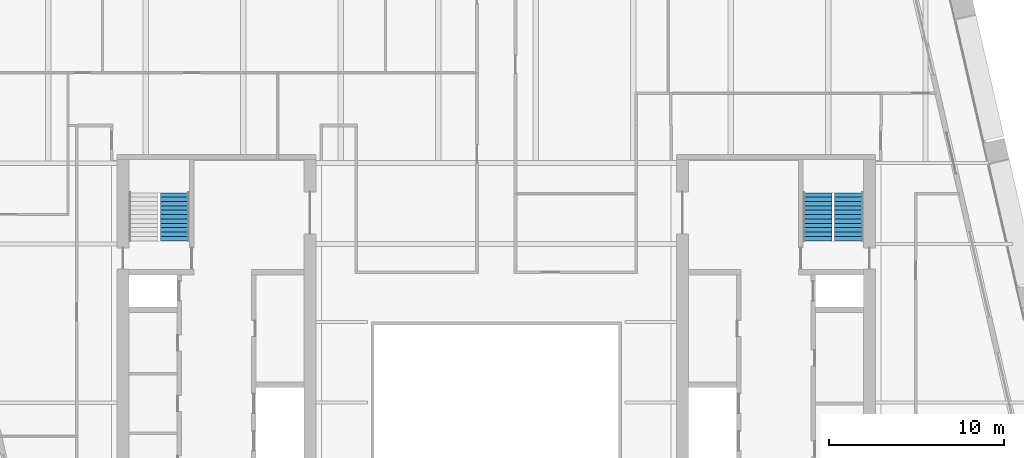
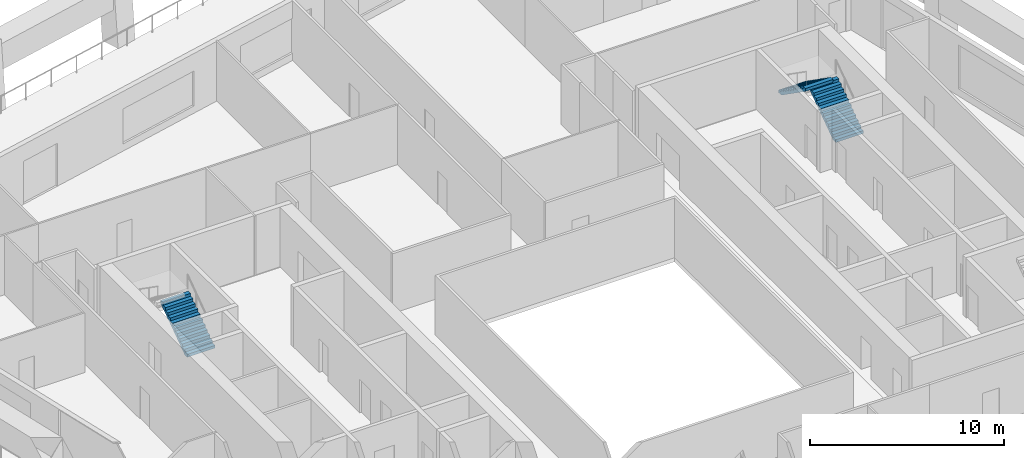
# One storey, part 12 of 14: 3 stair flights, 2 elements without a shape of their own.
"""IFC4 building model written with IfcOpenShell, lengths in metres."""

from ifc_helpers import new_model, si_unit, direction, frame, origin, place, context, subcontext, project, spatial, polyline, outline, extrude, material, type_object, element, aggregate, save


model = new_model("IFC4")

# Units and contexts
model_context = context("Model", 3, precision=1e-05, world=origin(), true_north=direction((0.0, 1.0)))
body_context = subcontext(model_context, "Body", "Model", "MODEL_VIEW")
ifc_project = project(units=[si_unit("LENGTHUNIT", "METRE"), si_unit("AREAUNIT", "SQUARE_METRE"), si_unit("VOLUMEUNIT", "CUBIC_METRE"), si_unit("PLANEANGLEUNIT", "RADIAN"), si_unit("MASSUNIT", "GRAM", prefix="KILO")], contexts=[model_context])

# Site, building, storey
site_placement = place(None, origin())
site = spatial("IfcSite", under=ifc_project, at=site_placement, CompositionType="ELEMENT")
building_placement = place(site_placement, origin())
building = spatial("IfcBuilding", under=site, at=building_placement, Name="Ogive Exchange Tower", CompositionType="ELEMENT")
storey_placement = place(building_placement, frame((0.0, 0.0, 222.0)))
storey = spatial("IfcBuildingStorey", under=building, at=storey_placement, Name="L49", CompositionType="ELEMENT", Elevation=222.0)

# Stair, stair flight
ifc_material = material(Name="Concrete C40/50", Category="concrete")
stair_type = type_object("IfcStairType", Name="Exit stair 1650 wide", PredefinedType="HALF_TURN_STAIR", material=ifc_material)
stair_1_placement = place(storey_placement, origin())
stair_1 = element("IfcStair", 1, at=stair_1_placement, inside=storey, type_object=stair_type, Name="L49 exit stair ST2", PredefinedType="HALF_TURN_STAIR")
stair_flight_type = type_object("IfcStairFlightType", Name="Stair flight 1650 wide", PredefinedType="STRAIGHT", material=ifc_material)
stair_flight_1_placement = place(storey_placement, frame((-18.375, 20.800048828125, 0.0), z_axis=(0.0, 0.0, 1.0), x_axis=(0.0, 1.0, 0.0)))
stair_flight_1 = element("IfcStairFlight", 2, at=stair_flight_1_placement, type_object=stair_flight_type, Name="ST2 flight 1", NumberOfRisers=12, NumberOfTreads=11, PredefinedType="STRAIGHT", RiserHeight=0.175, TreadLength=0.25, context=body_context, shape_type="SweptSolid", body=[
    extrude(outline(polyline([(0.0, 0.0), (0.0, 0.175048828125), (0.25, 0.175048828125), (0.25, 0.35009765625), (0.5, 0.35009765625), (0.5, 0.52490234375), (0.75, 0.52490234375), (0.75, 0.699951171875), (1.0, 0.699951171875), (1.0, 0.875), (1.25, 0.875), (1.25, 1.050048828125), (1.5, 1.050048828125), (1.5, 1.22509765625), (1.75, 1.22509765625), (1.75, 1.39990234375), (2.0, 1.39990234375), (2.0, 1.574951171875), (2.25, 1.574951171875), (2.25, 1.75), (2.5, 1.75), (2.5, 1.925048828125), (2.75, 1.925048828125), (2.75, 2.10009765625), (2.75, 1.741943359375), (0.261474609375, 0.0), (0.0, 0.0)])), frame((0.0, 0.824951171875, 0.0), z_axis=(0.0, -1.0, 0.0), x_axis=(1.0, 0.0, 0.0)), (0.0, 0.0, 1.0), 1.64990234375),
])
aggregate(stair_1, [stair_flight_1])

# Stair, stair flights
stair_2_placement = place(storey_placement, origin())
stair_2 = element("IfcStair", 3, at=stair_2_placement, inside=storey, type_object=stair_type, Name="L49 exit stair ST4", PredefinedType="HALF_TURN_STAIR")
stair_flight_2_placement = place(storey_placement, frame((20.175048828125, 20.800048828125, 0.0), z_axis=(0.0, 0.0, 1.0), x_axis=(0.0, 1.0, 0.0)))
stair_flight_2 = element("IfcStairFlight", 4, at=stair_flight_2_placement, type_object=stair_flight_type, Name="ST4 flight 1", NumberOfRisers=12, NumberOfTreads=11, PredefinedType="STRAIGHT", RiserHeight=0.175, TreadLength=0.25, context=body_context, shape_type="SweptSolid", body=[
    extrude(outline(polyline([(0.0, 0.0), (0.0, 0.175048828125), (0.25, 0.175048828125), (0.25, 0.35009765625), (0.5, 0.35009765625), (0.5, 0.52490234375), (0.75, 0.52490234375), (0.75, 0.699951171875), (1.0, 0.699951171875), (1.0, 0.875), (1.25, 0.875), (1.25, 1.050048828125), (1.5, 1.050048828125), (1.5, 1.22509765625), (1.75, 1.22509765625), (1.75, 1.39990234375), (2.0, 1.39990234375), (2.0, 1.574951171875), (2.25, 1.574951171875), (2.25, 1.75), (2.5, 1.75), (2.5, 1.925048828125), (2.75, 1.925048828125), (2.75, 2.10009765625), (2.75, 1.741943359375), (0.261474609375, 0.0), (0.0, 0.0)])), frame((0.0, 0.824951171875, 0.0), z_axis=(0.0, -1.0, 0.0), x_axis=(1.0, 0.0, 0.0)), (0.0, 0.0, 1.0), 1.64990234375),
])
stair_flight_3_placement = place(storey_placement, frame((18.375, 23.550048828125, 2.10009765625), z_axis=(0.0, 0.0, 1.0), x_axis=(0.0, -1.0, 0.0)))
stair_flight_3 = element("IfcStairFlight", 5, at=stair_flight_3_placement, type_object=stair_flight_type, Name="ST4 flight 2", NumberOfRisers=12, NumberOfTreads=11, PredefinedType="STRAIGHT", RiserHeight=0.175, TreadLength=0.25, context=body_context, shape_type="SweptSolid", body=[
    extrude(outline(polyline([(0.0, 0.0), (0.0, 0.175048828125), (0.25, 0.175048828125), (0.25, 0.35009765625), (0.5, 0.35009765625), (0.5, 0.52490234375), (0.75, 0.52490234375), (0.75, 0.699951171875), (1.0, 0.699951171875), (1.0, 0.875), (1.25, 0.875), (1.25, 1.050048828125), (1.5, 1.050048828125), (1.5, 1.22509765625), (1.75, 1.22509765625), (1.75, 1.39990234375), (2.0, 1.39990234375), (2.0, 1.574951171875), (2.25, 1.574951171875), (2.25, 1.75), (2.5, 1.75), (2.5, 1.925048828125), (2.75, 1.925048828125), (2.75, 2.10009765625), (2.75, 1.741943359375), (0.261474609375, 0.0), (0.0, 0.0)])), frame((0.0, 0.824951171875, 0.0), z_axis=(0.0, -1.0, 0.0), x_axis=(1.0, 0.0, 0.0)), (0.0, 0.0, 1.0), 1.64990234375),
])
aggregate(stair_2, [stair_flight_2, stair_flight_3])

save(model, "model.ifc")
